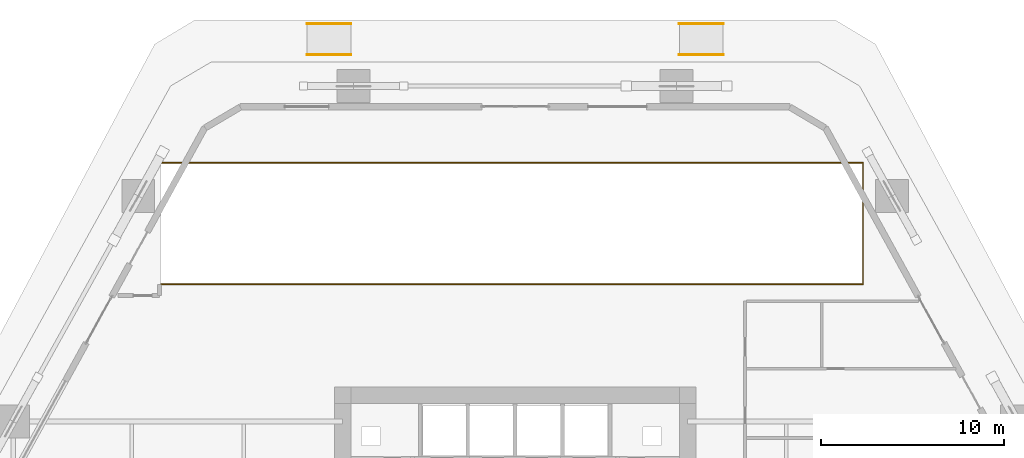
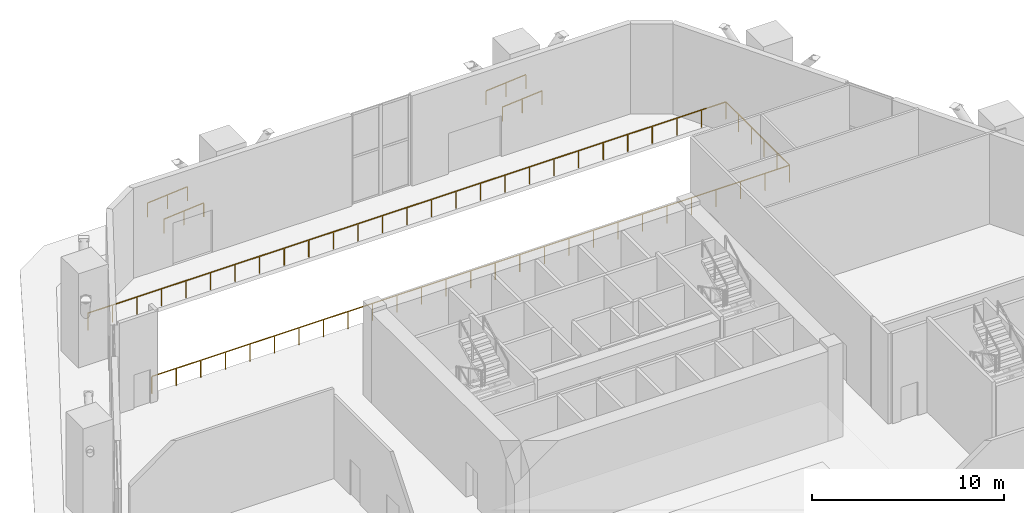
# One storey, part 22 of 22: 5 railings.
"""IFC4 building model written with IfcOpenShell, lengths in metres."""

from ifc_helpers import new_model, si_unit, direction, frame, origin, origin_2d, place, context, subcontext, project, spatial, rectangle, extrude, material, type_object, element, save


model = new_model("IFC4")

# Units and contexts
model_context = context("Model", 3, precision=1e-05, world=origin(), true_north=direction((0.0, 1.0)))
body_context = subcontext(model_context, "Body", "Model", "MODEL_VIEW")
ifc_project = project(units=[si_unit("LENGTHUNIT", "METRE"), si_unit("AREAUNIT", "SQUARE_METRE"), si_unit("VOLUMEUNIT", "CUBIC_METRE"), si_unit("PLANEANGLEUNIT", "RADIAN"), si_unit("MASSUNIT", "GRAM", prefix="KILO")], contexts=[model_context])

# Site, building, storey
site_placement = place(None, origin())
site = spatial("IfcSite", under=ifc_project, at=site_placement, CompositionType="ELEMENT")
building_placement = place(site_placement, origin())
building = spatial("IfcBuilding", under=site, at=building_placement, Name="Cinnabar Lancet Tower", CompositionType="ELEMENT")
storey_placement = place(building_placement, origin())
storey = spatial("IfcBuildingStorey", under=building, at=storey_placement, Name="L00", CompositionType="ELEMENT", Elevation=0.0)

# Railings
ifc_material_1 = material(Name="Painted galvanized steel balustrade", Category="steel")
railing_type_1 = type_object("IfcRailingType", Name="GUARD-RAMP", PredefinedType="GUARDRAIL", material=ifc_material_1)
railing_placement = place(storey_placement, frame((13.0, 39.419921875, 0.0)))
element("IfcRailing", 1, at=railing_placement, inside=storey, type_object=railing_type_1, Name="L00 Car Park Ramp Well Perimeter Guardrail", PredefinedType="GUARDRAIL", context=body_context, shape_type="SweptSolid", body=[
    extrude(rectangle(XDim=0.048095703125, YDim=0.048095703125, at=origin_2d()), frame((0.0, 0.0, 1.09619140625), z_axis=(1.0, 0.0, 0.0), x_axis=(0.0, 1.0, 0.0)), (0.0, 0.0, 1.0), 38.4599609375),
    extrude(rectangle(XDim=0.048095703125, YDim=0.048095703125, at=origin_2d()), frame((38.4599609375, 0.0, 1.09619140625), z_axis=(0.0, 1.0, 0.0), x_axis=(-1.0, 0.0, 0.0)), (0.0, 0.0, 1.0), 6.66015625),
    extrude(rectangle(XDim=0.048095703125, YDim=0.048095703125, at=origin_2d()), frame((38.4599609375, 6.66015625, 1.09619140625), z_axis=(-1.0, 0.0, 0.0), x_axis=(0.0, -1.0, 0.0)), (0.0, 0.0, 1.0), 38.4599609375),
    extrude(rectangle(XDim=0.0419921875, YDim=0.0419921875, at=origin_2d()), origin(), (0.0, 0.0, 1.0), 1.072021484375),
    extrude(rectangle(XDim=0.0419921875, YDim=0.0419921875, at=origin_2d()), frame((1.479248046875, 0.0, 0.0)), (0.0, 0.0, 1.0), 1.072021484375),
    extrude(rectangle(XDim=0.0419921875, YDim=0.0419921875, at=origin_2d()), frame((2.95849609375, 0.0, 0.0)), (0.0, 0.0, 1.0), 1.072021484375),
    extrude(rectangle(XDim=0.0419921875, YDim=0.0419921875, at=origin_2d()), frame((4.437744140625, 0.0, 0.0)), (0.0, 0.0, 1.0), 1.072021484375),
    extrude(rectangle(XDim=0.0419921875, YDim=0.0419921875, at=origin_2d()), frame((5.9169921875, 0.0, 0.0)), (0.0, 0.0, 1.0), 1.072021484375),
    extrude(rectangle(XDim=0.0419921875, YDim=0.0419921875, at=origin_2d()), frame((7.396240234375, 0.0, 0.0)), (0.0, 0.0, 1.0), 1.072021484375),
    extrude(rectangle(XDim=0.0419921875, YDim=0.0419921875, at=origin_2d()), frame((8.87548828125, 0.0, 0.0)), (0.0, 0.0, 1.0), 1.072021484375),
    extrude(rectangle(XDim=0.0419921875, YDim=0.0419921875, at=origin_2d()), frame((10.3544921875, 0.0, 0.0)), (0.0, 0.0, 1.0), 1.072021484375),
    extrude(rectangle(XDim=0.0419921875, YDim=0.0419921875, at=origin_2d()), frame((11.833740234375, 0.0, 0.0)), (0.0, 0.0, 1.0), 1.072021484375),
    extrude(rectangle(XDim=0.0419921875, YDim=0.0419921875, at=origin_2d()), frame((13.31298828125, 0.0, 0.0)), (0.0, 0.0, 1.0), 1.072021484375),
    extrude(rectangle(XDim=0.0419921875, YDim=0.0419921875, at=origin_2d()), frame((14.792236328125, 0.0, 0.0)), (0.0, 0.0, 1.0), 1.072021484375),
    extrude(rectangle(XDim=0.0419921875, YDim=0.0419921875, at=origin_2d()), frame((16.271484375, 0.0, 0.0)), (0.0, 0.0, 1.0), 1.072021484375),
    extrude(rectangle(XDim=0.0419921875, YDim=0.0419921875, at=origin_2d()), frame((17.750732421875, 0.0, 0.0)), (0.0, 0.0, 1.0), 1.072021484375),
    extrude(rectangle(XDim=0.0419921875, YDim=0.0419921875, at=origin_2d()), frame((19.22998046875, 0.0, 0.0)), (0.0, 0.0, 1.0), 1.072021484375),
    extrude(rectangle(XDim=0.0419921875, YDim=0.0419921875, at=origin_2d()), frame((20.709228515625, 0.0, 0.0)), (0.0, 0.0, 1.0), 1.072021484375),
    extrude(rectangle(XDim=0.0419921875, YDim=0.0419921875, at=origin_2d()), frame((22.1884765625, 0.0, 0.0)), (0.0, 0.0, 1.0), 1.072021484375),
    extrude(rectangle(XDim=0.0419921875, YDim=0.0419921875, at=origin_2d()), frame((23.667724609375, 0.0, 0.0)), (0.0, 0.0, 1.0), 1.072021484375),
    extrude(rectangle(XDim=0.0419921875, YDim=0.0419921875, at=origin_2d()), frame((25.14697265625, 0.0, 0.0)), (0.0, 0.0, 1.0), 1.072021484375),
    extrude(rectangle(XDim=0.0419921875, YDim=0.0419921875, at=origin_2d()), frame((26.626220703125, 0.0, 0.0)), (0.0, 0.0, 1.0), 1.072021484375),
    extrude(rectangle(XDim=0.0419921875, YDim=0.0419921875, at=origin_2d()), frame((28.10546875, 0.0, 0.0)), (0.0, 0.0, 1.0), 1.072021484375),
    extrude(rectangle(XDim=0.0419921875, YDim=0.0419921875, at=origin_2d()), frame((29.58447265625, 0.0, 0.0)), (0.0, 0.0, 1.0), 1.072021484375),
    extrude(rectangle(XDim=0.0419921875, YDim=0.0419921875, at=origin_2d()), frame((31.063720703125, 0.0, 0.0)), (0.0, 0.0, 1.0), 1.072021484375),
    extrude(rectangle(XDim=0.0419921875, YDim=0.0419921875, at=origin_2d()), frame((32.54296875, 0.0, 0.0)), (0.0, 0.0, 1.0), 1.072021484375),
    extrude(rectangle(XDim=0.0419921875, YDim=0.0419921875, at=origin_2d()), frame((34.022216796875, 0.0, 0.0)), (0.0, 0.0, 1.0), 1.072021484375),
    extrude(rectangle(XDim=0.0419921875, YDim=0.0419921875, at=origin_2d()), frame((35.50146484375, 0.0, 0.0)), (0.0, 0.0, 1.0), 1.072021484375),
    extrude(rectangle(XDim=0.0419921875, YDim=0.0419921875, at=origin_2d()), frame((36.980712890625, 0.0, 0.0)), (0.0, 0.0, 1.0), 1.072021484375),
    extrude(rectangle(XDim=0.0419921875, YDim=0.0419921875, at=origin_2d()), frame((38.4599609375, 0.0, 0.0)), (0.0, 0.0, 1.0), 1.072021484375),
    extrude(rectangle(XDim=0.0419921875, YDim=0.0419921875, at=origin_2d()), frame((38.4599609375, 1.33203125, 0.0)), (0.0, 0.0, 1.0), 1.072021484375),
    extrude(rectangle(XDim=0.0419921875, YDim=0.0419921875, at=origin_2d()), frame((38.4599609375, 2.6640625, 0.0)), (0.0, 0.0, 1.0), 1.072021484375),
    extrude(rectangle(XDim=0.0419921875, YDim=0.0419921875, at=origin_2d()), frame((38.4599609375, 3.99609375, 0.0)), (0.0, 0.0, 1.0), 1.072021484375),
    extrude(rectangle(XDim=0.0419921875, YDim=0.0419921875, at=origin_2d()), frame((38.4599609375, 5.328125, 0.0)), (0.0, 0.0, 1.0), 1.072021484375),
    extrude(rectangle(XDim=0.0419921875, YDim=0.0419921875, at=origin_2d()), frame((38.4599609375, 6.66015625, 0.0)), (0.0, 0.0, 1.0), 1.072021484375),
    extrude(rectangle(XDim=0.0419921875, YDim=0.0419921875, at=origin_2d()), frame((36.980712890625, 6.66015625, 0.0)), (0.0, 0.0, 1.0), 1.072021484375),
    extrude(rectangle(XDim=0.0419921875, YDim=0.0419921875, at=origin_2d()), frame((35.50146484375, 6.66015625, 0.0)), (0.0, 0.0, 1.0), 1.072021484375),
    extrude(rectangle(XDim=0.0419921875, YDim=0.0419921875, at=origin_2d()), frame((34.022216796875, 6.66015625, 0.0)), (0.0, 0.0, 1.0), 1.072021484375),
    extrude(rectangle(XDim=0.0419921875, YDim=0.0419921875, at=origin_2d()), frame((32.54296875, 6.66015625, 0.0)), (0.0, 0.0, 1.0), 1.072021484375),
    extrude(rectangle(XDim=0.0419921875, YDim=0.0419921875, at=origin_2d()), frame((31.063720703125, 6.66015625, 0.0)), (0.0, 0.0, 1.0), 1.072021484375),
    extrude(rectangle(XDim=0.0419921875, YDim=0.0419921875, at=origin_2d()), frame((29.58447265625, 6.66015625, 0.0)), (0.0, 0.0, 1.0), 1.072021484375),
    extrude(rectangle(XDim=0.0419921875, YDim=0.0419921875, at=origin_2d()), frame((28.10546875, 6.66015625, 0.0)), (0.0, 0.0, 1.0), 1.072021484375),
    extrude(rectangle(XDim=0.0419921875, YDim=0.0419921875, at=origin_2d()), frame((26.626220703125, 6.66015625, 0.0)), (0.0, 0.0, 1.0), 1.072021484375),
    extrude(rectangle(XDim=0.0419921875, YDim=0.0419921875, at=origin_2d()), frame((25.14697265625, 6.66015625, 0.0)), (0.0, 0.0, 1.0), 1.072021484375),
    extrude(rectangle(XDim=0.0419921875, YDim=0.0419921875, at=origin_2d()), frame((23.667724609375, 6.66015625, 0.0)), (0.0, 0.0, 1.0), 1.072021484375),
    extrude(rectangle(XDim=0.0419921875, YDim=0.0419921875, at=origin_2d()), frame((22.1884765625, 6.66015625, 0.0)), (0.0, 0.0, 1.0), 1.072021484375),
    extrude(rectangle(XDim=0.0419921875, YDim=0.0419921875, at=origin_2d()), frame((20.709228515625, 6.66015625, 0.0)), (0.0, 0.0, 1.0), 1.072021484375),
    extrude(rectangle(XDim=0.0419921875, YDim=0.0419921875, at=origin_2d()), frame((19.22998046875, 6.66015625, 0.0)), (0.0, 0.0, 1.0), 1.072021484375),
    extrude(rectangle(XDim=0.0419921875, YDim=0.0419921875, at=origin_2d()), frame((17.750732421875, 6.66015625, 0.0)), (0.0, 0.0, 1.0), 1.072021484375),
    extrude(rectangle(XDim=0.0419921875, YDim=0.0419921875, at=origin_2d()), frame((16.271484375, 6.66015625, 0.0)), (0.0, 0.0, 1.0), 1.072021484375),
    extrude(rectangle(XDim=0.0419921875, YDim=0.0419921875, at=origin_2d()), frame((14.792236328125, 6.66015625, 0.0)), (0.0, 0.0, 1.0), 1.072021484375),
    extrude(rectangle(XDim=0.0419921875, YDim=0.0419921875, at=origin_2d()), frame((13.31298828125, 6.66015625, 0.0)), (0.0, 0.0, 1.0), 1.072021484375),
    extrude(rectangle(XDim=0.0419921875, YDim=0.0419921875, at=origin_2d()), frame((11.833740234375, 6.66015625, 0.0)), (0.0, 0.0, 1.0), 1.072021484375),
    extrude(rectangle(XDim=0.0419921875, YDim=0.0419921875, at=origin_2d()), frame((10.3544921875, 6.66015625, 0.0)), (0.0, 0.0, 1.0), 1.072021484375),
    extrude(rectangle(XDim=0.0419921875, YDim=0.0419921875, at=origin_2d()), frame((8.87548828125, 6.66015625, 0.0)), (0.0, 0.0, 1.0), 1.072021484375),
    extrude(rectangle(XDim=0.0419921875, YDim=0.0419921875, at=origin_2d()), frame((7.396240234375, 6.66015625, 0.0)), (0.0, 0.0, 1.0), 1.072021484375),
    extrude(rectangle(XDim=0.0419921875, YDim=0.0419921875, at=origin_2d()), frame((5.9169921875, 6.66015625, 0.0)), (0.0, 0.0, 1.0), 1.072021484375),
    extrude(rectangle(XDim=0.0419921875, YDim=0.0419921875, at=origin_2d()), frame((4.437744140625, 6.66015625, 0.0)), (0.0, 0.0, 1.0), 1.072021484375),
    extrude(rectangle(XDim=0.0419921875, YDim=0.0419921875, at=origin_2d()), frame((2.95849609375, 6.66015625, 0.0)), (0.0, 0.0, 1.0), 1.072021484375),
    extrude(rectangle(XDim=0.0419921875, YDim=0.0419921875, at=origin_2d()), frame((1.479248046875, 6.66015625, 0.0)), (0.0, 0.0, 1.0), 1.072021484375),
    extrude(rectangle(XDim=0.0419921875, YDim=0.0419921875, at=origin_2d()), frame((0.0, 6.66015625, 0.0)), (0.0, 0.0, 1.0), 1.072021484375),
])
ifc_material_2 = material(Name="Brushed stainless steel handrail", Category="steel")
railing_type_2 = type_object("IfcRailingType", Name="HANDRAIL-RAMP", PredefinedType="HANDRAIL", material=ifc_material_2)
for number, where, name in (
    (2, (21.0, 52.0, -0.199951171875), "Accessible Ramp AR-03 Handrail A"),
    (3, (21.0, 53.699951171875, -0.199951171875), "Accessible Ramp AR-03 Handrail B"),
):
    element("IfcRailing", number, at=place(storey_placement, frame(where)), inside=storey, type_object=railing_type_2, Name=name, PredefinedType="HANDRAIL", context=body_context, shape_type="SweptSolid", body=[
        extrude(rectangle(XDim=0.048095703125, YDim=0.048095703125, at=origin_2d()), frame((0.0, 0.0, 0.89599609375), z_axis=(0.996547156423, 0.0, 0.083028700011), x_axis=(0.0, 1.0, 0.0)), (0.0, 0.0, 1.0), 2.408203125),
        extrude(rectangle(XDim=0.0419921875, YDim=0.0419921875, at=origin_2d()), origin(), (0.0, 0.0, 1.0), 0.871826171875),
        extrude(rectangle(XDim=0.0419921875, YDim=0.0419921875, at=origin_2d()), frame((1.199951171875, 0.0, 0.10009765625)), (0.0, 0.0, 1.0), 0.871826171875),
        extrude(rectangle(XDim=0.0419921875, YDim=0.0419921875, at=origin_2d()), frame((2.39990234375, 0.0, 0.199951171875)), (0.0, 0.0, 1.0), 0.871826171875),
    ])
for number, where, name in (
    (4, (41.39990234375, 52.0, -0.199951171875), "Accessible Ramp AR-04 Handrail A"),
    (5, (41.39990234375, 53.699951171875, -0.199951171875), "Accessible Ramp AR-04 Handrail B"),
):
    element("IfcRailing", number, at=place(storey_placement, frame(where)), inside=storey, type_object=railing_type_2, Name=name, PredefinedType="HANDRAIL", context=body_context, shape_type="SweptSolid", body=[
        extrude(rectangle(XDim=0.048095703125, YDim=0.048095703125, at=origin_2d()), frame((0.0, 0.0, 0.89599609375), z_axis=(0.996547855194, 0.0, 0.083020312624), x_axis=(0.0, 1.0, 0.0)), (0.0, 0.0, 1.0), 2.408447265625),
        extrude(rectangle(XDim=0.0419921875, YDim=0.0419921875, at=origin_2d()), origin(), (0.0, 0.0, 1.0), 0.871826171875),
        extrude(rectangle(XDim=0.0419921875, YDim=0.0419921875, at=origin_2d()), frame((1.2001953125, 0.0, 0.10009765625)), (0.0, 0.0, 1.0), 0.871826171875),
        extrude(rectangle(XDim=0.0419921875, YDim=0.0419921875, at=origin_2d()), frame((2.400146484375, 0.0, 0.199951171875)), (0.0, 0.0, 1.0), 0.871826171875),
    ])

save(model, "model.ifc")
